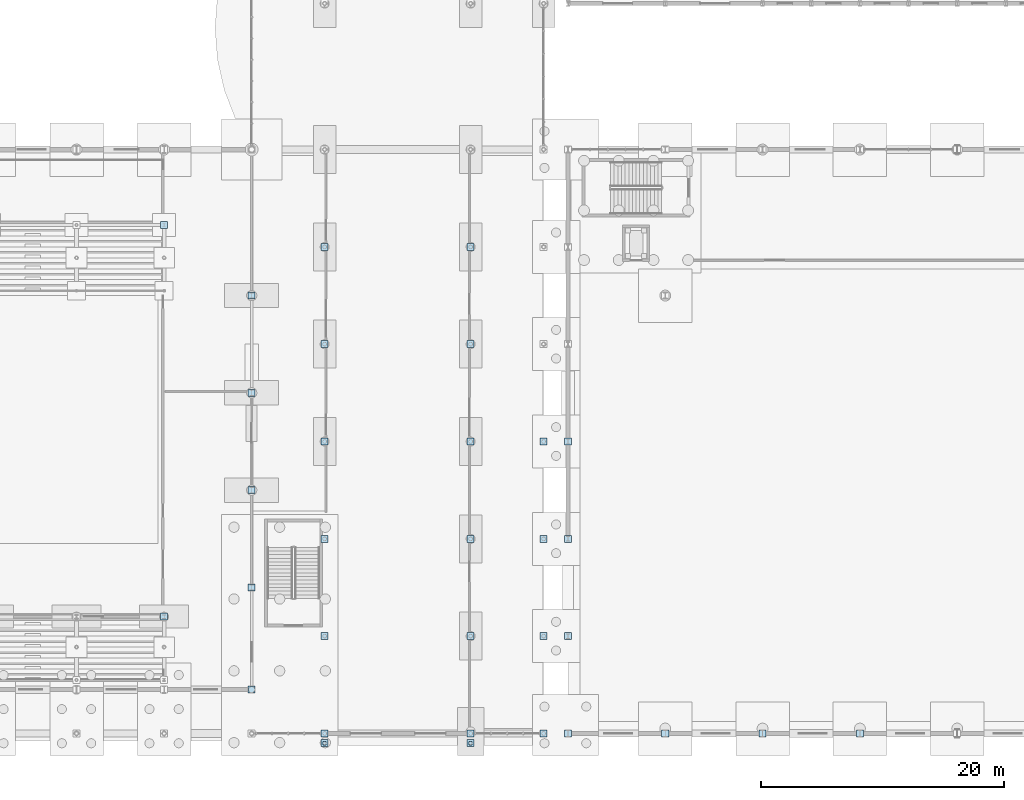
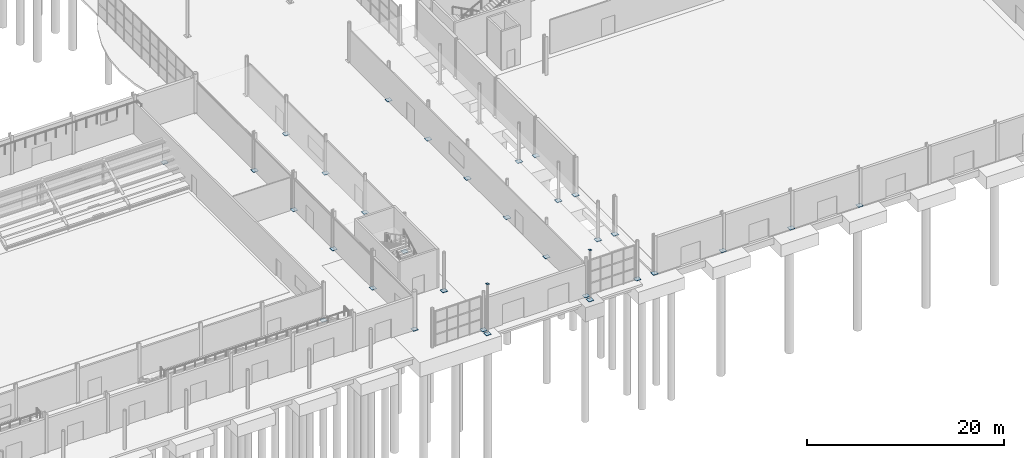
# One storey, part 70 of 101: 34 plates.
"""IFC4 building model written with IfcOpenShell, lengths in metres."""

from ifc_helpers import new_model, si_unit, derived_unit, direction, frame, origin, origin_2d, place, context, subcontext, project, spatial, rectangle, extrude, material, layer, layer_set, type_object, element, save


model = new_model("IFC4")

# Units and contexts
model_context = context("Model", 3, precision=1e-05, world=origin(), true_north=direction((0.0, 1.0)))
body_context = subcontext(model_context, "Body", "Model", "MODEL_VIEW")
ifc_project = project(units=[si_unit("LENGTHUNIT", "METRE"), si_unit("AREAUNIT", "SQUARE_METRE"), si_unit("VOLUMEUNIT", "CUBIC_METRE"), si_unit("PLANEANGLEUNIT", "RADIAN"), si_unit("MASSUNIT", "GRAM", prefix="KILO"), derived_unit("THERMALTRANSMITTANCEUNIT", [(si_unit("POWERUNIT", "WATT"), 1), (si_unit("LENGTHUNIT", "METRE"), -2), (si_unit("THERMODYNAMICTEMPERATUREUNIT", "KELVIN"), -1)])], contexts=[model_context])

# Site, building, storey
site_placement = place(None, origin())
site = spatial("IfcSite", under=ifc_project, at=site_placement, CompositionType="ELEMENT")
building_placement = place(site_placement, origin())
building = spatial("IfcBuilding", under=site, at=building_placement, Name="Keldorne Ridge Multi-Sports Centre", CompositionType="ELEMENT")
storey_placement = place(building_placement, origin())
storey = spatial("IfcBuildingStorey", under=building, at=storey_placement, Name="L00", CompositionType="ELEMENT", Elevation=0.0)

# Plates
ifc_material = material(Name="Steel S355", Category="steel")
ifc_layer_1 = layer(ifc_material, 0.031982421875)
ifc_layer_set_1 = layer_set([ifc_layer_1], Name="Steel S355")
plate_type_1 = type_object("IfcPlateType", Name="PLT-PL-BP1", PredefinedType="USERDEFINED", material=ifc_layer_set_1)
for number, where, z_axis, x_axis, name in (
    (1, (78.0, 18.0, 0.0), (0.0, 0.0, 1.0), (1.0, 0.0, 0.0), "Column baseplate V1-GABLE-E-01"),
    (2, (78.0, 26.0, 0.0), (0.0, 0.0, 1.0), (1.0, 0.0, 0.0), "Column baseplate V1-GABLE-E-02"),
    (3, (78.0, 34.0, 0.0), (0.0, 0.0, 1.0), (1.0, 0.0, 0.0), "Column baseplate V1-GABLE-E-03"),
    (4, (78.0, 42.0, 0.0), (0.0, 0.0, 1.0), (1.0, 0.0, 0.0), "Column baseplate V1-GABLE-E-04"),
    (5, (70.800048828125, 15.60009765625, 0.0), (0.0, 0.0, 1.0), (1.0, 0.0, 0.0), "Column baseplate V1-MEZZ-10"),
    (6, (70.800048828125, 47.800048828125, 0.0), (0.0, 0.0, 1.0), (1.0, 0.0, 0.0), "Column baseplate V1-STDCOL-NORTH-08"),
    (7, (84.0, 14.0, 0.0), (0.0, 0.0, 1.0), (1.0, 0.0, 0.0), "Column baseplate V4-G12-02"),
    (8, (96.0, 14.0, 0.0), (0.0, 0.0, 1.0), (1.0, 0.0, 0.0), "Column baseplate V4-G14-02"),
    (9, (102.0, 14.0, 0.0), (0.0, 0.0, 1.0), (1.0, 0.0, 0.0), "Column baseplate V4-G15-02"),
    (10, (84.0, 22.0, 0.0), (0.0, 0.0, 1.0), (1.0, 0.0, 0.0), "Column baseplate V4-G12-03"),
    (11, (96.0, 22.0, 0.0), (0.0, 0.0, 1.0), (1.0, 0.0, 0.0), "Column baseplate V4-G14-03"),
    (12, (102.0, 22.0, 0.0), (0.0, 0.0, 1.0), (1.0, 0.0, 0.0), "Column baseplate V4-G15-03"),
    (13, (84.0, 30.0, 0.0), (0.0, 0.0, 1.0), (1.0, 0.0, 0.0), "Column baseplate V4-G12-04"),
    (14, (96.0, 30.0, 0.0), (0.0, 0.0, 1.0), (1.0, 0.0, 0.0), "Column baseplate V4-G14-04"),
    (15, (102.0, 30.0, 0.0), (0.0, 0.0, 1.0), (1.0, 0.0, 0.0), "Column baseplate V4-G15-04"),
    (16, (84.0, 38.0, 0.0), (0.0, 0.0, 1.0), (1.0, 0.0, 0.0), "Column baseplate V4-G12-05"),
    (17, (96.0, 38.0, 0.0), (0.0, 0.0, 1.0), (1.0, 0.0, 0.0), "Column baseplate V4-G14-05"),
    (18, (84.0, 46.0, 0.0), (0.0, 0.0, 1.0), (1.0, 0.0, 0.0), "Column baseplate V4-G12-06"),
    (19, (96.0, 46.0, 0.0), (0.0, 0.0, 1.0), (1.0, 0.0, 0.0), "Column baseplate V4-G14-06"),
):
    element("IfcPlate", number, at=place(storey_placement, frame(where, z_axis=z_axis, x_axis=x_axis)), inside=storey, type_object=plate_type_1, Name=name, ObjectType="GUSSET PLATE", PredefinedType="USERDEFINED", context=body_context, shape_type="SweptSolid", body=[
        extrude(rectangle(XDim=0.580078125, YDim=0.580078125, at=origin_2d()), origin(), (0.0, 0.0, 1.0), 0.031982421875),
    ])
ifc_layer_2 = layer(ifc_material, 0.0400390625)
ifc_layer_set_2 = layer_set([ifc_layer_2], Name="Steel S355")
plate_type_2 = type_object("IfcPlateType", Name="PLT-PL-BP2", PredefinedType="USERDEFINED", material=ifc_layer_set_2)
for number, where, z_axis, x_axis, name in (
    (20, (78.0, 9.60009765625, 0.0), (0.0, 0.0, 1.0), (1.0, 0.0, 0.0), "Column baseplate V1-HALL-S-11"),
    (21, (84.0, 6.0, 0.0), (0.0, 0.0, 1.0), (1.0, 0.0, 0.0), "Column baseplate V4-G12-01"),
    (22, (96.0, 6.0, 0.0), (0.0, 0.0, 1.0), (1.0, 0.0, 0.0), "Column baseplate V4-G14-01"),
    (23, (102.0, 6.0, 0.0), (0.0, 0.0, 1.0), (1.0, 0.0, 0.0), "Column baseplate V4-G15-01"),
    (24, (84.0, 5.199951171875, 0.0), (0.0, 0.0, 1.0), (1.0, 0.0, 0.0), "Column baseplate V4-CAN-S-01"),
    (25, (96.0, 5.199951171875, 0.0), (0.0, 0.0, 1.0), (1.0, 0.0, 0.0), "Column baseplate V4-CAN-S-02"),
    (26, (104.0, 6.0, 0.0), (0.0, 0.0, 1.0), (1.0, 0.0, 0.0), "Column baseplate V2-TRUSS-S-01"),
    (27, (112.0, 6.0, 0.0), (0.0, 0.0, 1.0), (1.0, 0.0, 0.0), "Column baseplate V2-TRUSS-S-02"),
    (28, (120.0, 6.0, 0.0), (0.0, 0.0, 1.0), (1.0, 0.0, 0.0), "Column baseplate V2-TRUSS-S-03"),
    (29, (128.0, 6.0, 0.0), (0.0, 0.0, 1.0), (1.0, 0.0, 0.0), "Column baseplate V2-TRUSS-S-04"),
    (30, (104.0, 14.0, 0.0), (0.0, 0.0, 1.0), (1.0, 0.0, 0.0), "Column baseplate V2-GABLE-W-01"),
    (31, (104.0, 22.0, 0.0), (0.0, 0.0, 1.0), (1.0, 0.0, 0.0), "Column baseplate V2-GABLE-W-02"),
    (32, (104.0, 30.0, 0.0), (0.0, 0.0, 1.0), (1.0, 0.0, 0.0), "Column baseplate V2-GABLE-W-03"),
):
    element("IfcPlate", number, at=place(storey_placement, frame(where, z_axis=z_axis, x_axis=x_axis)), inside=storey, type_object=plate_type_2, Name=name, ObjectType="GUSSET PLATE", PredefinedType="USERDEFINED", context=body_context, shape_type="SweptSolid", body=[
        extrude(rectangle(XDim=0.580078125, YDim=0.580078125, at=origin_2d()), origin(), (0.0, 0.0, 1.0), 0.0400390625),
    ])
ifc_layer_3 = layer(ifc_material, 0.01611328125)
ifc_layer_set_3 = layer_set([ifc_layer_3], Name="Steel S355")
plate_type_3 = type_object("IfcPlateType", Name="PLT-PL-EC1", PredefinedType="USERDEFINED", material=ifc_layer_set_3)
for number, where, z_axis, x_axis, name in (
    (33, (84.0, 5.199951171875, 6.199951171875), (0.0, 0.0, 1.0), (1.0, 0.0, 0.0), "Canopy column V4-CAN-S-01 top welded closure plate"),
    (34, (96.0, 5.199951171875, 6.199951171875), (0.0, 0.0, 1.0), (1.0, 0.0, 0.0), "Canopy column V4-CAN-S-02 top welded closure plate"),
):
    element("IfcPlate", number, at=place(storey_placement, frame(where, z_axis=z_axis, x_axis=x_axis)), inside=storey, type_object=plate_type_3, Name=name, ObjectType="GUSSET PLATE", PredefinedType="USERDEFINED", context=body_context, shape_type="SweptSolid", body=[
        extrude(rectangle(XDim=0.260009765625, YDim=0.260009765625, at=origin_2d()), origin(), (0.0, 0.0, 1.0), 0.01611328125),
    ])

save(model, "model.ifc")
